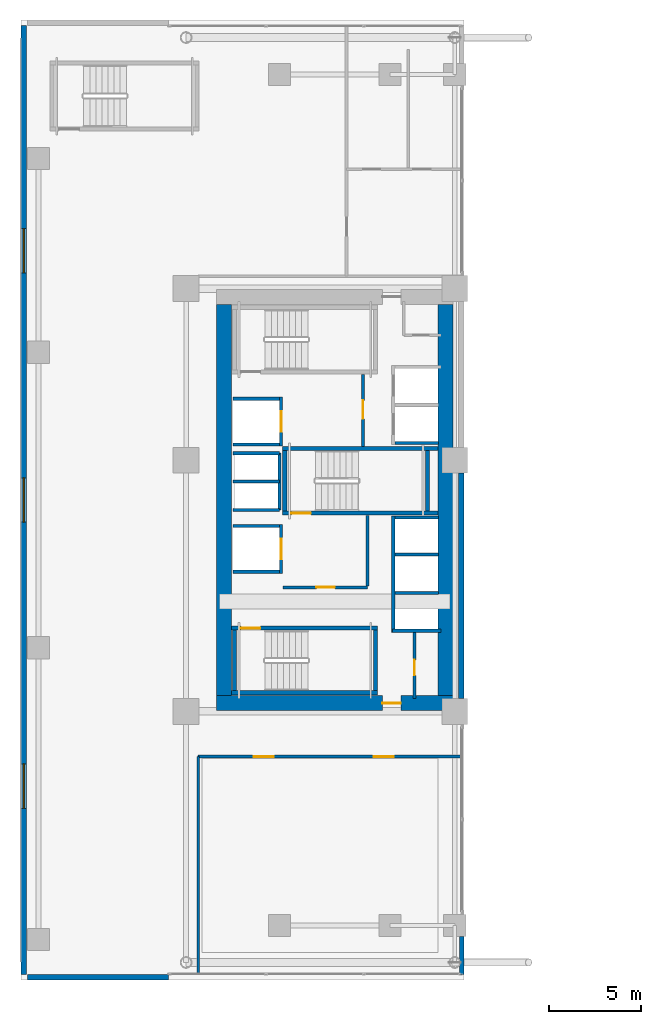
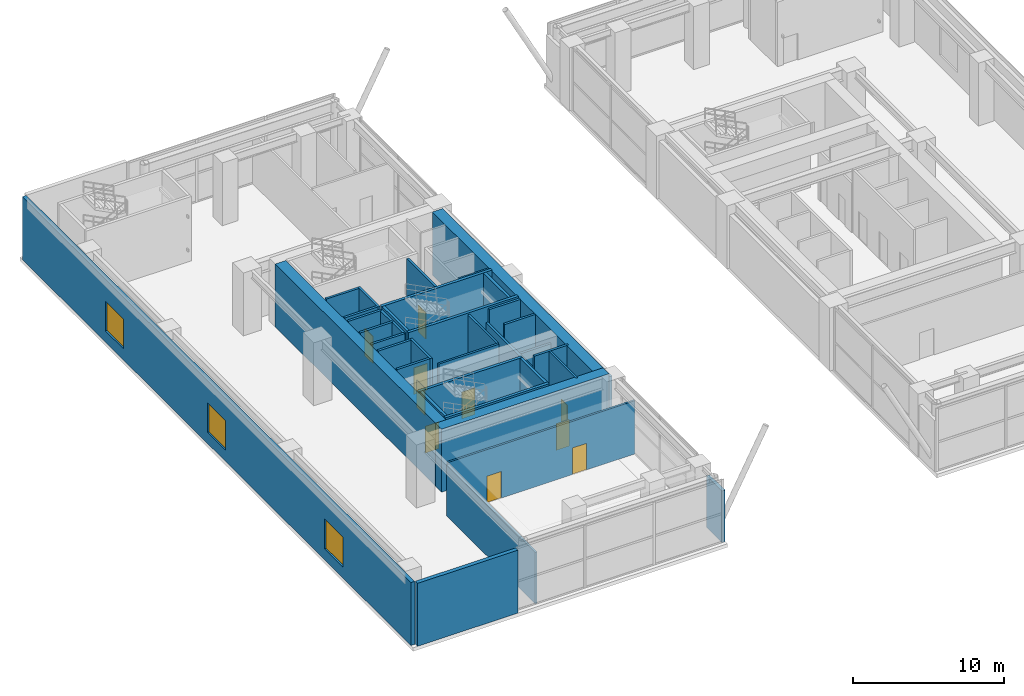
# One storey, part 20 of 29: 37 walls, 10 doors, 3 windows, 13 openings.
"""IFC4 building model written with IfcOpenShell, lengths in metres."""

from ifc_helpers import new_model, si_unit, direction, frame, frame_2d, origin, place, context, subcontext, project, spatial, rectangle, extrude, source, transform, mapped, material, layer, layer_set, type_object, element, fill, save


model = new_model("IFC4")

# Units and contexts
model_context = context("Model", 3, precision=1e-05, world=origin(), true_north=direction((0.0, 1.0)))
body_context = subcontext(model_context, "Body", "Model", "MODEL_VIEW")
ifc_project = project(units=[si_unit("LENGTHUNIT", "METRE"), si_unit("AREAUNIT", "SQUARE_METRE"), si_unit("VOLUMEUNIT", "CUBIC_METRE"), si_unit("PLANEANGLEUNIT", "RADIAN"), si_unit("MASSUNIT", "GRAM", prefix="KILO")], contexts=[model_context])

# Site, building, storey
site_placement = place(None, origin())
site = spatial("IfcSite", under=ifc_project, at=site_placement, CompositionType="ELEMENT")
building_placement = place(site_placement, origin())
building = spatial("IfcBuilding", under=site, at=building_placement, Name="Ocotamira Hotel", CompositionType="ELEMENT")
storey_placement = place(building_placement, frame((0.0, 0.0, 6.0)))
storey = spatial("IfcBuildingStorey", under=building, at=storey_placement, Name="L02", CompositionType="ELEMENT", Elevation=6.0)

# Wall, opening, door
ifc_material_1 = material(Name="Concrete C60/75", Category="concrete")
ifc_layer_1 = layer(ifc_material_1, 0.800048828125)
ifc_layer_set_1 = layer_set([ifc_layer_1], Name="Concrete C60/75")
wall_type_1 = type_object("IfcWallType", Name="WL-CORE-800", PredefinedType="SHEAR", material=ifc_layer_set_1)
wall_1_placement = place(storey_placement, frame((10.60009765625, 15.0, 0.0), z_axis=(0.0, 0.0, 1.0), x_axis=(1.0, 0.0, 0.0)))
wall_1 = element("IfcWall", 1, at=wall_1_placement, inside=storey, type_object=wall_type_1, Name="L02 Shear Core Wall WCORE-S", PredefinedType="SHEAR", context=body_context, shape_type="SweptSolid", body=[
    extrude(rectangle(XDim=12.7998046875, YDim=0.800048828125, at=frame_2d((6.39990234375, 0.0))), origin(), (0.0, 0.0, 1.0), 5.080078125),
])
opening_1_placement = place(wall_1_placement, frame((8.97998046875, 0.0, 0.0)))
opening_1 = element("IfcOpeningElement", 2, at=opening_1_placement, cuts=wall_1, Name="Opening D-FR2", PredefinedType="OPENING", context=body_context, shape_type="SweptSolid", body=[
    extrude(rectangle(XDim=1.0, YDim=2.14990234375, at=frame_2d((0.5, 1.074951171875))), frame((0.0, 0.41015625, 0.0), z_axis=(0.0, -1.0, 0.0), x_axis=(1.0, 0.0, 0.0)), (0.0, 0.0, 1.0), 0.820068359375),
])
ifc_material_2 = material(Name="Fire-rated acoustic timber-veneer door", Category="wood")
door_type_1 = type_object("IfcDoorType", Name="DR-FIRE-1000", OperationType="NOTDEFINED", PredefinedType="DOOR", material=ifc_material_2)
shared_shape_1 = source(origin(), body_context, "Body", "SweptSolid", [
    extrude(rectangle(XDim=1.0, YDim=2.14990234375, at=frame_2d((0.5, 1.074951171875))), frame((0.0, 0.02490234375, 0.0), z_axis=(0.0, -1.0, 0.0), x_axis=(1.0, 0.0, 0.0)), (0.0, 0.0, 1.0), 0.050048828125),
])
door_1_placement = place(opening_1_placement, origin())
door_1 = element("IfcDoor", 3, at=door_1_placement, inside=storey, type_object=door_type_1, Name="L02 Door ID-L02-WLOB-S-D [ID-L02-WLOB-S-D]", OperationType="SINGLE_SWING_LEFT", OverallHeight=2.14990234375, OverallWidth=1.0, PredefinedType="DOOR", context=body_context, shape_type="MappedRepresentation", body=[
    mapped(shared_shape_1, transform((0.0, 0.0, 0.0), scale=1.0)),
])
fill(opening_1, door_1)

# Walls
for number, where, z_axis, x_axis, name in (
    (4, (11.0, 15.39990234375, 0.0), (0.0, 0.0, 1.0), (0.0, 1.0, 0.0), "L02 Shear Core Wall WCORE-W"),
    (5, (23.0, 15.39990234375, 0.0), (0.0, 0.0, 1.0), (0.0, 1.0, 0.0), "L02 Shear Core Wall WCORE-E"),
):
    element("IfcWall", number, at=place(storey_placement, frame(where, z_axis=z_axis, x_axis=x_axis)), inside=storey, type_object=wall_type_1, Name=name, PredefinedType="SHEAR", context=body_context, shape_type="SweptSolid", body=[
        extrude(rectangle(XDim=21.2001953125, YDim=0.800048828125, at=frame_2d((10.60009765625, 0.0))), origin(), (0.0, 0.0, 1.0), 5.080078125),
    ])

# Wall, openings, windows
ifc_material_3 = material(Name="Travertine-clad precast concrete C45/55", Category="masonry")
ifc_layer_2 = layer(ifc_material_3, 0.300048828125)
ifc_layer_set_2 = layer_set([ifc_layer_2], Name="Travertine-clad precast concrete C45/55")
wall_type_2 = type_object("IfcWallType", Name="WL-EXT-POD-300", PredefinedType="SOLIDWALL", material=ifc_layer_set_2)
wall_2_placement = place(storey_placement, frame((0.14990234375, 0.300048828125, 0.0), z_axis=(0.0, 0.0, 1.0), x_axis=(0.0, 1.0, 0.0)))
wall_2 = element("IfcWall", 6, at=wall_2_placement, inside=storey, type_object=wall_type_2, Name="L02 West Podium Travertine Wall", PredefinedType="SOLIDWALL", context=body_context, shape_type="SweptSolid", body=[
    extrude(rectangle(XDim=51.39990234375, YDim=0.300048828125, at=frame_2d((25.699951171875, 0.0))), origin(), (0.0, 0.0, 1.0), 5.080078125),
])
opening_2_placement = place(wall_2_placement, frame((9.0, 0.0, 0.89990234375)))
opening_2 = element("IfcOpeningElement", 7, at=opening_2_placement, cuts=wall_2, Name="Opening WN-1", PredefinedType="OPENING", context=body_context, shape_type="SweptSolid", body=[
    extrude(rectangle(XDim=2.39990234375, YDim=2.39990234375, at=frame_2d((1.199951171875, 1.199951171875))), frame((0.0, 0.16015625, 0.0), z_axis=(0.0, -1.0, 0.0), x_axis=(1.0, 0.0, 0.0)), (0.0, 0.0, 1.0), 0.320068359375),
])
opening_3_placement = place(wall_2_placement, frame((24.5, 0.0, 0.89990234375)))
opening_3 = element("IfcOpeningElement", 8, at=opening_3_placement, cuts=wall_2, Name="Opening WN-1", PredefinedType="OPENING", context=body_context, shape_type="SweptSolid", body=[
    extrude(rectangle(XDim=2.39990234375, YDim=2.39990234375, at=frame_2d((1.199951171875, 1.199951171875))), frame((0.0, 0.16015625, 0.0), z_axis=(0.0, -1.0, 0.0), x_axis=(1.0, 0.0, 0.0)), (0.0, 0.0, 1.0), 0.320068359375),
])
opening_4_placement = place(wall_2_placement, frame((38.0, 0.0, 0.89990234375)))
opening_4 = element("IfcOpeningElement", 9, at=opening_4_placement, cuts=wall_2, Name="Opening WN-1", PredefinedType="OPENING", context=body_context, shape_type="SweptSolid", body=[
    extrude(rectangle(XDim=2.39990234375, YDim=2.39990234375, at=frame_2d((1.199951171875, 1.199951171875))), frame((0.0, 0.16015625, 0.0), z_axis=(0.0, -1.0, 0.0), x_axis=(1.0, 0.0, 0.0)), (0.0, 0.0, 1.0), 0.320068359375),
])
ifc_material_4 = material(Name="Double-silver low-E solar glass", Category="glass")
window_type = type_object("IfcWindowType", Name="WIN-POD-2400", PartitioningType="SINGLE_PANEL", PredefinedType="WINDOW", material=ifc_material_4)
shared_shape_2 = source(origin(), body_context, "Body", "SweptSolid", [
    extrude(rectangle(XDim=2.39990234375, YDim=2.39990234375, at=frame_2d((1.199951171875, 1.199951171875))), frame((0.0, 0.030029296875, 0.0), z_axis=(0.0, -1.0, 0.0), x_axis=(1.0, 0.0, 0.0)), (0.0, 0.0, 1.0), 0.06005859375),
])
window_1_placement = place(opening_2_placement, origin())
window_1 = element("IfcWindow", 10, at=window_1_placement, inside=storey, type_object=window_type, Name="L02 West Podium Window 1", OverallHeight=2.39990234375, OverallWidth=2.39990234375, PartitioningType="SINGLE_PANEL", PredefinedType="WINDOW", context=body_context, shape_type="MappedRepresentation", body=[
    mapped(shared_shape_2, transform((0.0, 0.0, 0.0), scale=1.0)),
])
fill(opening_2, window_1)
window_2_placement = place(opening_3_placement, origin())
window_2 = element("IfcWindow", 11, at=window_2_placement, inside=storey, type_object=window_type, Name="L02 West Podium Window 2", OverallHeight=2.39990234375, OverallWidth=2.39990234375, PartitioningType="SINGLE_PANEL", PredefinedType="WINDOW", context=body_context, shape_type="MappedRepresentation", body=[
    mapped(shared_shape_2, transform((0.0, 0.0, 0.0), scale=1.0)),
])
fill(opening_3, window_2)
window_3_placement = place(opening_4_placement, origin())
window_3 = element("IfcWindow", 12, at=window_3_placement, inside=storey, type_object=window_type, Name="L02 West Podium Window 3", OverallHeight=2.39990234375, OverallWidth=2.39990234375, PartitioningType="SINGLE_PANEL", PredefinedType="WINDOW", context=body_context, shape_type="MappedRepresentation", body=[
    mapped(shared_shape_2, transform((0.0, 0.0, 0.0), scale=1.0)),
])
fill(opening_4, window_3)

# Walls
wall_3_placement = place(storey_placement, frame((8.0, 0.14990234375, 0.0), z_axis=(0.0, 0.0, 1.0), x_axis=(-1.0, 0.0, 0.0)))
element("IfcWall", 13, at=wall_3_placement, inside=storey, type_object=wall_type_2, Name="L02 S-West Podium Wall", PredefinedType="SOLIDWALL", context=body_context, shape_type="SweptSolid", body=[
    extrude(rectangle(XDim=7.64990234375, YDim=0.300048828125, at=frame_2d((3.824951171875, 0.0))), origin(), (0.0, 0.0, 1.0), 5.080078125),
])
wall_4_placement = place(storey_placement, frame((23.8798828125, 0.300048828125, 0.0), z_axis=(0.0, 0.0, 1.0), x_axis=(0.0, 1.0, 0.0)))
element("IfcWall", 14, at=wall_4_placement, inside=storey, type_object=wall_type_2, Name="L02 Giant Arch South Corner Cheek Wall AW", PredefinedType="SOLIDWALL", context=body_context, shape_type="SweptSolid", body=[
    extrude(rectangle(XDim=2.050048828125, YDim=0.239990234375, at=frame_2d((1.02490234375, 0.0))), origin(), (0.0, 0.0, 1.0), 4.153076171875),
])
wall_5_placement = place(storey_placement, frame((23.85009765625, 15.25, 0.0), z_axis=(0.0, 0.0, 1.0), x_axis=(0.0, 1.0, 0.0)))
element("IfcWall", 15, at=wall_5_placement, inside=storey, type_object=wall_type_2, Name="L02 Giant Arch Core Cheek Wall AW-1", PredefinedType="SOLIDWALL", context=body_context, shape_type="SweptSolid", body=[
    extrude(rectangle(XDim=12.199951171875, YDim=0.300048828125, at=frame_2d((6.10009765625, 0.0))), origin(), (0.0, 0.0, 1.0), 4.301025390625),
])

# Wall, opening, door
ifc_material_5 = material(Name="Acoustic double-layer fire gypsum board partition", Category="gypsum")
ifc_layer_3 = layer(ifc_material_5, 0.159912109375)
ifc_layer_set_3 = layer_set([ifc_layer_3], Name="Acoustic double-layer fire gypsum board partition")
wall_type_3 = type_object("IfcWallType", Name="WL-FIRE-160", PredefinedType="PARTITIONING", material=ifc_layer_set_3)
wall_6_placement = place(storey_placement, frame((14.199951171875, 21.27001953125, 0.0), z_axis=(0.0, 0.0, 1.0), x_axis=(1.0, 0.0, 0.0)))
wall_6 = element("IfcWall", 16, at=wall_6_placement, inside=storey, type_object=wall_type_3, Name="L02 Interior Wall PW-L02-FSAE1-S", PredefinedType="PARTITIONING", context=body_context, shape_type="SweptSolid", body=[
    extrude(rectangle(XDim=4.580078125, YDim=0.159912109375, at=frame_2d((2.2900390625, 0.0))), origin(), (0.0, 0.0, 1.0), 5.080078125),
])
opening_5_placement = place(wall_6_placement, frame((1.800048828125, 0.0, 0.0)))
opening_5 = element("IfcOpeningElement", 17, at=opening_5_placement, cuts=wall_6, Name="Opening D-FR2", PredefinedType="OPENING", context=body_context, shape_type="SweptSolid", body=[
    extrude(rectangle(XDim=1.0, YDim=2.14990234375, at=frame_2d((0.5, 1.074951171875))), frame((0.0, 0.08984375, 0.0), z_axis=(0.0, -1.0, 0.0), x_axis=(1.0, 0.0, 0.0)), (0.0, 0.0, 1.0), 0.179931640625),
])
door_2_placement = place(opening_5_placement, origin())
door_2 = element("IfcDoor", 18, at=door_2_placement, inside=storey, type_object=door_type_1, Name="L02 Door ID-L02-FSAE1-D [ID-L02-FSAE1-D]", OperationType="SINGLE_SWING_LEFT", OverallHeight=2.14990234375, OverallWidth=1.0, PredefinedType="DOOR", context=body_context, shape_type="MappedRepresentation", body=[
    mapped(shared_shape_1, transform((0.0, 0.0, 0.0), scale=1.0)),
])
fill(opening_5, door_2)

# Wall
wall_7_placement = place(storey_placement, frame((18.780029296875, 21.35009765625, 0.0), z_axis=(0.0, 0.0, 1.0), x_axis=(0.0, 1.0, 0.0)))
element("IfcWall", 19, at=wall_7_placement, inside=storey, type_object=wall_type_3, Name="L02 Interior Wall PW-L02-FSAE1-E", PredefinedType="PARTITIONING", context=body_context, shape_type="SweptSolid", body=[
    extrude(rectangle(XDim=3.809814453125, YDim=0.159912109375, at=frame_2d((1.90478515625, 0.0))), origin(), (0.0, 0.0, 1.0), 5.080078125),
])

# Wall, opening, door
wall_8_placement = place(storey_placement, frame((18.530029296875, 28.89990234375, 0.0), z_axis=(0.0, 0.0, 1.0), x_axis=(0.0, 1.0, 0.0)))
wall_8 = element("IfcWall", 20, at=wall_8_placement, inside=storey, type_object=wall_type_3, Name="L02 Interior Wall PW-L02-FSAE2-E", PredefinedType="PARTITIONING", context=body_context, shape_type="SweptSolid", body=[
    extrude(rectangle(XDim=3.900146484375, YDim=0.159912109375, at=frame_2d((1.9501953125, 0.0))), origin(), (0.0, 0.0, 1.0), 5.080078125),
])
opening_6_placement = place(wall_8_placement, frame((1.5, 0.0, 0.0)))
opening_6 = element("IfcOpeningElement", 21, at=opening_6_placement, cuts=wall_8, Name="Opening D-FR2", PredefinedType="OPENING", context=body_context, shape_type="SweptSolid", body=[
    extrude(rectangle(XDim=1.0, YDim=2.14990234375, at=frame_2d((0.5, 1.074951171875))), frame((0.0, 0.08984375, 0.0), z_axis=(0.0, -1.0, 0.0), x_axis=(1.0, 0.0, 0.0)), (0.0, 0.0, 1.0), 0.179931640625),
])
door_3_placement = place(opening_6_placement, origin())
door_3 = element("IfcDoor", 22, at=door_3_placement, inside=storey, type_object=door_type_1, Name="L02 Door ID-L02-FSAE2-D [ID-L02-FSAE2-D]", OperationType="SINGLE_SWING_RIGHT", OverallHeight=2.14990234375, OverallWidth=1.0, PredefinedType="DOOR", context=body_context, shape_type="MappedRepresentation", body=[
    mapped(shared_shape_1, transform((0.0, 0.0, 0.0), scale=1.0)),
])
fill(opening_6, door_3)

ifc_material_6 = material(Name="Acoustic hospitality gypsum board partition", Category="gypsum")
ifc_layer_4 = layer(ifc_material_6, 0.14208984375)
ifc_layer_set_4 = layer_set([ifc_layer_4], Name="Acoustic hospitality gypsum board partition")
wall_type_4 = type_object("IfcWallType", Name="WL-PART-142", PredefinedType="PARTITIONING", material=ifc_layer_set_4)
wall_9_placement = place(storey_placement, frame((21.320068359375, 15.25, 0.0), z_axis=(0.0, 0.0, 1.0), x_axis=(0.0, 1.0, 0.0)))
wall_9 = element("IfcWall", 23, at=wall_9_placement, inside=storey, type_object=wall_type_4, Name="L02 Interior Wall PW-L02-WC-SE-W", PredefinedType="PARTITIONING", context=body_context, shape_type="SweptSolid", body=[
    extrude(rectangle(XDim=3.590087890625, YDim=0.14208984375, at=frame_2d((1.794921875, 0.0))), origin(), (0.0, 0.0, 1.0), 5.080078125),
])
opening_7_placement = place(wall_9_placement, frame((1.25, 0.0, 0.0)))
opening_7 = element("IfcOpeningElement", 24, at=opening_7_placement, cuts=wall_9, Name="Opening D-SV1", PredefinedType="OPENING", context=body_context, shape_type="SweptSolid", body=[
    extrude(rectangle(XDim=0.840087890625, YDim=2.10009765625, at=frame_2d((0.419921875, 1.050048828125))), frame((0.0, 0.0810546875, 0.0), z_axis=(0.0, -1.0, 0.0), x_axis=(1.0, 0.0, 0.0)), (0.0, 0.0, 1.0), 0.162109375),
])
ifc_material_7 = material(Name="Fire-rated painted steel service door", Category="steel")
door_type_2 = type_object("IfcDoorType", Name="DR-SERV-840", OperationType="NOTDEFINED", PredefinedType="DOOR", material=ifc_material_7)
shared_shape_3 = source(origin(), body_context, "Body", "SweptSolid", [
    extrude(rectangle(XDim=0.840087890625, YDim=2.10009765625, at=frame_2d((0.419921875, 1.050048828125))), frame((0.0, 0.02490234375, 0.0), z_axis=(0.0, -1.0, 0.0), x_axis=(1.0, 0.0, 0.0)), (0.0, 0.0, 1.0), 0.050048828125),
])
door_4_placement = place(opening_7_placement, origin())
door_4 = element("IfcDoor", 25, at=door_4_placement, inside=storey, type_object=door_type_2, Name="L02 Door ID-L02-WC-SE-D [ID-L02-WC-SE-D]", OperationType="SINGLE_SWING_RIGHT", OverallHeight=2.10009765625, OverallWidth=0.840087890625, PredefinedType="DOOR", context=body_context, shape_type="MappedRepresentation", body=[
    mapped(shared_shape_3, transform((0.0, 0.0, 0.0), scale=1.0)),
])
fill(opening_7, door_4)

# Wall
ifc_layer_5 = layer(ifc_material_6, 0.14990234375)
ifc_layer_set_5 = layer_set([ifc_layer_5], Name="Acoustic hospitality gypsum board partition")
wall_type_5 = type_object("IfcWallType", Name="WL-PART-150", PredefinedType="PARTITIONING", material=ifc_layer_set_5)
wall_10_placement = place(storey_placement, frame((9.60009765625, 0.35009765625, 0.0), z_axis=(0.0, 0.0, 1.0), x_axis=(0.0, 1.0, 0.0)))
element("IfcWall", 26, at=wall_10_placement, inside=storey, type_object=wall_type_5, Name="L02 Interior Wall PW-L02-L02-R1-W", PredefinedType="PARTITIONING", context=body_context, shape_type="SweptSolid", body=[
    extrude(rectangle(XDim=11.75, YDim=0.14990234375, at=frame_2d((5.875, 0.0))), origin(), (0.0, 0.0, 1.0), 4.153076171875),
])

# Wall, openings, doors
wall_11_placement = place(storey_placement, frame((9.60009765625, 12.10009765625, 0.0), z_axis=(0.0, 0.0, 1.0), x_axis=(1.0, 0.0, 0.0)))
wall_11 = element("IfcWall", 27, at=wall_11_placement, inside=storey, type_object=wall_type_5, Name="L02 Interior Wall PW-L02-L02-R1-N", PredefinedType="PARTITIONING", context=body_context, shape_type="SweptSolid", body=[
    extrude(rectangle(XDim=14.27978515625, YDim=0.14990234375, at=frame_2d((7.139892578125, 0.0))), origin(), (0.0, 0.0, 1.0), 4.301025390625),
])
opening_8_placement = place(wall_11_placement, frame((3.0, 0.0, 0.0)))
opening_8 = element("IfcOpeningElement", 28, at=opening_8_placement, cuts=wall_11, Name="Opening D-FR1", PredefinedType="OPENING", context=body_context, shape_type="SweptSolid", body=[
    extrude(rectangle(XDim=1.10009765625, YDim=2.14990234375, at=frame_2d((0.550048828125, 1.074951171875))), frame((0.0, 0.0849609375, 0.0), z_axis=(0.0, -1.0, 0.0), x_axis=(1.0, 0.0, 0.0)), (0.0, 0.0, 1.0), 0.169921875),
])
opening_9_placement = place(wall_11_placement, frame((9.5, 0.0, 0.0)))
opening_9 = element("IfcOpeningElement", 29, at=opening_9_placement, cuts=wall_11, Name="Opening D-FR1", PredefinedType="OPENING", context=body_context, shape_type="SweptSolid", body=[
    extrude(rectangle(XDim=1.10009765625, YDim=2.14990234375, at=frame_2d((0.550048828125, 1.074951171875))), frame((0.0, 0.0849609375, 0.0), z_axis=(0.0, -1.0, 0.0), x_axis=(1.0, 0.0, 0.0)), (0.0, 0.0, 1.0), 0.169921875),
])
door_type_3 = type_object("IfcDoorType", Name="DR-FIRE-1100", OperationType="NOTDEFINED", PredefinedType="DOOR", material=ifc_material_2)
shared_shape_4 = source(origin(), body_context, "Body", "SweptSolid", [
    extrude(rectangle(XDim=1.10009765625, YDim=2.14990234375, at=frame_2d((0.550048828125, 1.074951171875))), frame((0.0, 0.02490234375, 0.0), z_axis=(0.0, -1.0, 0.0), x_axis=(1.0, 0.0, 0.0)), (0.0, 0.0, 1.0), 0.050048828125),
])
door_5_placement = place(opening_8_placement, origin())
door_5 = element("IfcDoor", 30, at=door_5_placement, inside=storey, type_object=door_type_3, Name="L02 Door ID-L02-L02-R1-D1 [ID-L02-L02-R1-D1]", OperationType="SINGLE_SWING_LEFT", OverallHeight=2.14990234375, OverallWidth=1.10009765625, PredefinedType="DOOR", context=body_context, shape_type="MappedRepresentation", body=[
    mapped(shared_shape_4, transform((0.0, 0.0, 0.0), scale=1.0)),
])
fill(opening_8, door_5)
door_6_placement = place(opening_9_placement, origin())
door_6 = element("IfcDoor", 31, at=door_6_placement, inside=storey, type_object=door_type_3, Name="L02 Door ID-L02-L02-R1-D2 [ID-L02-L02-R1-D2]", OperationType="SINGLE_SWING_RIGHT", OverallHeight=2.14990234375, OverallWidth=1.10009765625, PredefinedType="DOOR", context=body_context, shape_type="MappedRepresentation", body=[
    mapped(shared_shape_4, transform((0.0, 0.0, 0.0), scale=1.0)),
])
fill(opening_9, door_6)

# Walls
ifc_material_8 = material(Name="Fire-rated gypsum shaftliner board assembly", Category="gypsum")
ifc_layer_6 = layer(ifc_material_8, 0.179931640625)
ifc_layer_set_6 = layer_set([ifc_layer_6], Name="Fire-rated gypsum shaftliner board assembly")
wall_type_6 = type_object("IfcWallType", Name="WL-SHAFT-180", PredefinedType="SOLIDWALL", material=ifc_layer_set_6)
wall_12_placement = place(storey_placement, frame((20.159912109375, 18.820068359375, 0.0), z_axis=(0.0, 0.0, 1.0), x_axis=(0.0, 1.0, 0.0)))
element("IfcWall", 32, at=wall_12_placement, inside=storey, type_object=wall_type_6, Name="L02 Interior Wall PW-L02-LFW-BANK-high-F", PredefinedType="SOLIDWALL", context=body_context, shape_type="SweptSolid", body=[
    extrude(rectangle(XDim=6.31982421875, YDim=0.179931640625, at=frame_2d((3.159912109375, 0.0))), origin(), (0.0, 0.0, 1.0), 3.97998046875),
])
wall_13_placement = place(storey_placement, frame((20.1201171875, 18.909912109375, 0.0), z_axis=(0.0, 0.0, 1.0), x_axis=(1.0, 0.0, 0.0)))
element("IfcWall", 33, at=wall_13_placement, inside=storey, type_object=wall_type_6, Name="L02 Interior Wall PW-L02-LFW-BANK-high-S", PredefinedType="SOLIDWALL", context=body_context, shape_type="SweptSolid", body=[
    extrude(rectangle(XDim=2.6298828125, YDim=0.179931640625, at=frame_2d((1.31494140625, 0.0))), origin(), (0.0, 0.0, 1.0), 5.080078125),
])
wall_14_placement = place(storey_placement, frame((20.25, 25.050048828125, 0.0), z_axis=(0.0, 0.0, 1.0), x_axis=(1.0, 0.0, 0.0)))
element("IfcWall", 34, at=wall_14_placement, inside=storey, type_object=wall_type_6, Name="L02 Interior Wall PW-L02-LFW-BANK-high-N", PredefinedType="SOLIDWALL", context=body_context, shape_type="SweptSolid", body=[
    extrude(rectangle(XDim=2.360107421875, YDim=0.179931640625, at=frame_2d((1.18017578125, 0.0))), origin(), (0.0, 0.0, 1.0), 5.080078125),
])
wall_15_placement = place(storey_placement, frame((20.25, 20.965087890625, 0.0), z_axis=(0.0, 0.0, 1.0), x_axis=(1.0, 0.0, 0.0)))
element("IfcWall", 35, at=wall_15_placement, inside=storey, type_object=wall_type_6, Name="L02 Interior Wall PW-L02-LFW-DIV-LF-P7", PredefinedType="SOLIDWALL", context=body_context, shape_type="SweptSolid", body=[
    extrude(rectangle(XDim=2.360107421875, YDim=0.179931640625, at=frame_2d((1.18017578125, 0.0))), origin(), (0.0, 0.0, 1.0), 3.97998046875),
])
for number, where, z_axis, x_axis, name in (
    (36, (20.25, 23.044921875, 0.0), (0.0, 0.0, 1.0), (1.0, 0.0, 0.0), "L02 Interior Wall PW-L02-LFW-DIV-LF-P8"),
    (37, (20.25, 29.090087890625, 0.0), (0.0, 0.0, 1.0), (1.0, 0.0, 0.0), "L02 Interior Wall PW-L02-LFW-BANK-obs-S"),
):
    element("IfcWall", number, at=place(storey_placement, frame(where, z_axis=z_axis, x_axis=x_axis)), inside=storey, type_object=wall_type_6, Name=name, PredefinedType="SOLIDWALL", context=body_context, shape_type="SweptSolid", body=[
        extrude(rectangle(XDim=2.360107421875, YDim=0.179931640625, at=frame_2d((1.18017578125, 0.0))), origin(), (0.0, 0.0, 1.0), 5.080078125),
    ])
for number, where, z_axis, x_axis, name in (
    (38, (11.5, 22.110107421875, 0.0), (0.0, 0.0, 1.0), (1.0, 0.0, 0.0), "L02 Interior Wall PW-L02-LFW-LF-FSAE1-S"),
    (39, (11.5, 24.590087890625, 0.0), (0.0, 0.0, 1.0), (1.0, 0.0, 0.0), "L02 Interior Wall PW-L02-LFW-LF-FSAE1-N"),
):
    element("IfcWall", number, at=place(storey_placement, frame(where, z_axis=z_axis, x_axis=x_axis)), inside=storey, type_object=wall_type_6, Name=name, PredefinedType="SOLIDWALL", context=body_context, shape_type="SweptSolid", body=[
        extrude(rectangle(XDim=2.5, YDim=0.179931640625, at=frame_2d((1.25, 0.0))), origin(), (0.0, 0.0, 1.0), 5.080078125),
    ])

# Wall, opening, door
wall_16_placement = place(storey_placement, frame((14.090087890625, 22.02001953125, 0.0), z_axis=(0.0, 0.0, 1.0), x_axis=(0.0, 1.0, 0.0)))
wall_16 = element("IfcWall", 40, at=wall_16_placement, inside=storey, type_object=wall_type_6, Name="L02 Interior Wall PW-L02-LFW-LF-FSAE1-E", PredefinedType="SOLIDWALL", context=body_context, shape_type="SweptSolid", body=[
    extrude(rectangle(XDim=2.659912109375, YDim=0.179931640625, at=frame_2d((1.330078125, 0.0))), origin(), (0.0, 0.0, 1.0), 5.080078125),
])
opening_10_placement = place(wall_16_placement, frame((0.780029296875, 0.0, 0.0)))
opening_10 = element("IfcOpeningElement", 41, at=opening_10_placement, cuts=wall_16, Name="Opening LD-LF-FSAE1", PredefinedType="OPENING", context=body_context, shape_type="SweptSolid", body=[
    extrude(rectangle(XDim=1.10009765625, YDim=2.199951171875, at=frame_2d((0.550048828125, 1.10009765625))), frame((0.0, 0.10009765625, 0.0), z_axis=(0.0, -1.0, 0.0), x_axis=(1.0, 0.0, 0.0)), (0.0, 0.0, 1.0), 0.199951171875),
])
ifc_material_9 = material(Name="Brushed pale-metal stainless elevator landing door", Category="steel")
door_type_4 = type_object("IfcDoorType", Name="DR-LIFT-1100", OperationType="NOTDEFINED", PredefinedType="DOOR", material=ifc_material_9)
shared_shape_5 = source(origin(), body_context, "Body", "SweptSolid", [
    extrude(rectangle(XDim=1.10009765625, YDim=2.199951171875, at=frame_2d((0.550048828125, 1.10009765625))), frame((0.0, 0.02490234375, 0.0), z_axis=(0.0, -1.0, 0.0), x_axis=(1.0, 0.0, 0.0)), (0.0, 0.0, 1.0), 0.050048828125),
])
door_7_placement = place(opening_10_placement, origin())
door_7 = element("IfcDoor", 42, at=door_7_placement, inside=storey, type_object=door_type_4, Name="L02 Landing Door LD-LF-FSAE1 [ID-L02-LD-LF-FSAE1]", OperationType="DOUBLE_DOOR_SLIDING", OverallHeight=2.199951171875, OverallWidth=1.10009765625, PredefinedType="DOOR", context=body_context, shape_type="MappedRepresentation", body=[
    mapped(shared_shape_5, transform((0.0, 0.0, 0.0), scale=1.0)),
])
fill(opening_10, door_7)

# Walls
for number, where, z_axis, x_axis, name in (
    (43, (11.5, 29.010009765625, 0.0), (0.0, 0.0, 1.0), (1.0, 0.0, 0.0), "L02 Interior Wall PW-L02-LFW-LF-FSAE2-S"),
    (44, (11.5, 31.489990234375, 0.0), (0.0, 0.0, 1.0), (1.0, 0.0, 0.0), "L02 Interior Wall PW-L02-LFW-LF-FSAE2-N"),
):
    element("IfcWall", number, at=place(storey_placement, frame(where, z_axis=z_axis, x_axis=x_axis)), inside=storey, type_object=wall_type_6, Name=name, PredefinedType="SOLIDWALL", context=body_context, shape_type="SweptSolid", body=[
        extrude(rectangle(XDim=2.5, YDim=0.179931640625, at=frame_2d((1.25, 0.0))), origin(), (0.0, 0.0, 1.0), 5.080078125),
    ])

# Wall, opening, door
wall_17_placement = place(storey_placement, frame((14.090087890625, 28.919921875, 0.0), z_axis=(0.0, 0.0, 1.0), x_axis=(0.0, 1.0, 0.0)))
wall_17 = element("IfcWall", 45, at=wall_17_placement, inside=storey, type_object=wall_type_6, Name="L02 Interior Wall PW-L02-LFW-LF-FSAE2-E", PredefinedType="SOLIDWALL", context=body_context, shape_type="SweptSolid", body=[
    extrude(rectangle(XDim=2.66015625, YDim=0.179931640625, at=frame_2d((1.330078125, 0.0))), origin(), (0.0, 0.0, 1.0), 5.080078125),
])
opening_11_placement = place(wall_17_placement, frame((0.780029296875, 0.0, 0.0)))
opening_11 = element("IfcOpeningElement", 46, at=opening_11_placement, cuts=wall_17, Name="Opening LD-LF-FSAE2", PredefinedType="OPENING", context=body_context, shape_type="SweptSolid", body=[
    extrude(rectangle(XDim=1.10009765625, YDim=2.199951171875, at=frame_2d((0.550048828125, 1.10009765625))), frame((0.0, 0.10009765625, 0.0), z_axis=(0.0, -1.0, 0.0), x_axis=(1.0, 0.0, 0.0)), (0.0, 0.0, 1.0), 0.199951171875),
])
door_8_placement = place(opening_11_placement, origin())
door_8 = element("IfcDoor", 47, at=door_8_placement, inside=storey, type_object=door_type_4, Name="L02 Landing Door LD-LF-FSAE2 [ID-L02-LD-LF-FSAE2]", OperationType="DOUBLE_DOOR_SLIDING", OverallHeight=2.199951171875, OverallWidth=1.10009765625, PredefinedType="DOOR", context=body_context, shape_type="MappedRepresentation", body=[
    mapped(shared_shape_5, transform((0.0, 0.0, 0.0), scale=1.0)),
])
fill(opening_11, door_8)

# Walls
for number, where, z_axis, x_axis, name in (
    (48, (11.5, 25.4599609375, 0.0), (0.0, 0.0, 1.0), (1.0, 0.0, 0.0), "L02 Interior Wall PW-L02-RSW-S"),
    (49, (11.5, 27.0, 0.0), (0.0, 0.0, 1.0), (1.0, 0.0, 0.0), "L02 Interior Wall PW-L02-RSW-MID"),
    (50, (11.5, 28.5400390625, 0.0), (0.0, 0.0, 1.0), (1.0, 0.0, 0.0), "L02 Interior Wall PW-L02-RSW-N"),
):
    element("IfcWall", number, at=place(storey_placement, frame(where, z_axis=z_axis, x_axis=x_axis)), inside=storey, type_object=wall_type_6, Name=name, PredefinedType="SOLIDWALL", context=body_context, shape_type="SweptSolid", body=[
        extrude(rectangle(XDim=2.510009765625, YDim=0.179931640625, at=frame_2d((1.2548828125, 0.0))), origin(), (0.0, 0.0, 1.0), 5.080078125),
    ])
wall_18_placement = place(storey_placement, frame((14.010009765625, 25.4599609375, 0.0), z_axis=(0.0, 0.0, 1.0), x_axis=(0.0, 1.0, 0.0)))
element("IfcWall", 51, at=wall_18_placement, inside=storey, type_object=wall_type_6, Name="L02 Interior Wall PW-L02-RSW-E", PredefinedType="SOLIDWALL", context=body_context, shape_type="SweptSolid", body=[
    extrude(rectangle(XDim=3.080078125, YDim=0.179931640625, at=frame_2d((1.5400390625, 0.0))), origin(), (0.0, 0.0, 1.0), 5.080078125),
])
ifc_material_10 = material(Name="Concrete C50/60", Category="concrete")
ifc_layer_7 = layer(ifc_material_10, 0.219970703125)
ifc_layer_set_7 = layer_set([ifc_layer_7], Name="Concrete C50/60")
wall_type_7 = type_object("IfcWallType", Name="WL-STAIR-220", PredefinedType="SHEAR", material=ifc_layer_set_7)
wall_19_placement = place(storey_placement, frame((11.39990234375, 15.56005859375, 0.0), z_axis=(0.0, 0.0, 1.0), x_axis=(1.0, 0.0, 0.0)))
element("IfcWall", 52, at=wall_19_placement, inside=storey, type_object=wall_type_7, Name="L02 Stair Shaft Structural Wall ST-1-S", PredefinedType="SHEAR", context=body_context, shape_type="SweptSolid", body=[
    extrude(rectangle(XDim=7.91015625, YDim=0.219970703125, at=frame_2d((3.955078125, 0.0))), origin(), (0.0, 0.0, 1.0), 5.199951171875),
])

# Wall, opening, door
wall_20_placement = place(storey_placement, frame((11.39990234375, 19.06005859375, 0.0), z_axis=(0.0, 0.0, 1.0), x_axis=(1.0, 0.0, 0.0)))
wall_20 = element("IfcWall", 53, at=wall_20_placement, inside=storey, type_object=wall_type_7, Name="L02 Stair Shaft Structural Wall ST-1-N", PredefinedType="SHEAR", context=body_context, shape_type="SweptSolid", body=[
    extrude(rectangle(XDim=7.91015625, YDim=0.219970703125, at=frame_2d((3.955078125, 0.0))), origin(), (0.0, 0.0, 1.0), 5.199951171875),
])
opening_12_placement = place(wall_20_placement, frame((0.52001953125, 0.0, 0.0)))
opening_12 = element("IfcOpeningElement", 54, at=opening_12_placement, cuts=wall_20, Name="Opening D-ST2", PredefinedType="OPENING", context=body_context, shape_type="SweptSolid", body=[
    extrude(rectangle(XDim=1.050048828125, YDim=2.14990234375, at=frame_2d((0.52490234375, 1.074951171875))), frame((0.0, 0.1201171875, 0.0), z_axis=(0.0, -1.0, 0.0), x_axis=(1.0, 0.0, 0.0)), (0.0, 0.0, 1.0), 0.239990234375),
])
ifc_material_11 = material(Name="Insulated painted hollow-metal fire exit door", Category="steel")
door_type_5 = type_object("IfcDoorType", Name="DR-STAIR-1050", OperationType="NOTDEFINED", PredefinedType="DOOR", material=ifc_material_11)
shared_shape_6 = source(origin(), body_context, "Body", "SweptSolid", [
    extrude(rectangle(XDim=1.050048828125, YDim=2.14990234375, at=frame_2d((0.52490234375, 1.074951171875))), frame((0.0, 0.02490234375, 0.0), z_axis=(0.0, -1.0, 0.0), x_axis=(1.0, 0.0, 0.0)), (0.0, 0.0, 1.0), 0.050048828125),
])
door_9_placement = place(opening_12_placement, origin())
door_9 = element("IfcDoor", 55, at=door_9_placement, inside=storey, type_object=door_type_5, Name="L02 Door ID-L02-STD-ST-1 [ID-L02-STD-ST-1]", OperationType="SINGLE_SWING_LEFT", OverallHeight=2.14990234375, OverallWidth=1.050048828125, PredefinedType="DOOR", context=body_context, shape_type="MappedRepresentation", body=[
    mapped(shared_shape_6, transform((0.0, 0.0, 0.0), scale=1.0)),
])
fill(opening_12, door_9)

# Walls
for number, where, z_axis, x_axis, name in (
    (56, (11.56005859375, 15.669921875, 0.0), (0.0, 0.0, 1.0), (0.0, 1.0, 0.0), "L02 Stair Shaft Structural Wall ST-1-W"),
    (57, (19.199951171875, 15.669921875, 0.0), (0.0, 0.0, 1.0), (0.0, 1.0, 0.0), "L02 Stair Shaft Structural Wall ST-1-E"),
):
    element("IfcWall", number, at=place(storey_placement, frame(where, z_axis=z_axis, x_axis=x_axis)), inside=storey, type_object=wall_type_7, Name=name, PredefinedType="SHEAR", context=body_context, shape_type="SweptSolid", body=[
        extrude(rectangle(XDim=3.280029296875, YDim=0.219970703125, at=frame_2d((1.64013671875, 0.0))), origin(), (0.0, 0.0, 1.0), 5.199951171875),
    ])

# Wall, opening, door
wall_21_placement = place(storey_placement, frame((14.179931640625, 25.2900390625, 0.0), z_axis=(0.0, 0.0, 1.0), x_axis=(1.0, 0.0, 0.0)))
wall_21 = element("IfcWall", 58, at=wall_21_placement, inside=storey, type_object=wall_type_7, Name="L02 Stair Shaft Structural Wall ST-3-S", PredefinedType="SHEAR", context=body_context, shape_type="SweptSolid", body=[
    extrude(rectangle(XDim=8.420166015625, YDim=0.219970703125, at=frame_2d((4.2099609375, 0.0))), origin(), (0.0, 0.0, 1.0), 5.199951171875),
])
opening_13_placement = place(wall_21_placement, frame((0.469970703125, 0.0, 0.0)))
opening_13 = element("IfcOpeningElement", 59, at=opening_13_placement, cuts=wall_21, Name="Opening D-ST2", PredefinedType="OPENING", context=body_context, shape_type="SweptSolid", body=[
    extrude(rectangle(XDim=1.050048828125, YDim=2.14990234375, at=frame_2d((0.52490234375, 1.074951171875))), frame((0.0, 0.1201171875, 0.0), z_axis=(0.0, -1.0, 0.0), x_axis=(1.0, 0.0, 0.0)), (0.0, 0.0, 1.0), 0.239990234375),
])
door_10_placement = place(opening_13_placement, origin())
door_10 = element("IfcDoor", 60, at=door_10_placement, inside=storey, type_object=door_type_5, Name="L02 Door ID-L02-STD-ST-3 [ID-L02-STD-ST-3]", OperationType="SINGLE_SWING_LEFT", OverallHeight=2.14990234375, OverallWidth=1.050048828125, PredefinedType="DOOR", context=body_context, shape_type="MappedRepresentation", body=[
    mapped(shared_shape_6, transform((0.0, 0.0, 0.0), scale=1.0)),
])
fill(opening_13, door_10)

# Walls
wall_22_placement = place(storey_placement, frame((14.179931640625, 28.7900390625, 0.0), z_axis=(0.0, 0.0, 1.0), x_axis=(1.0, 0.0, 0.0)))
element("IfcWall", 61, at=wall_22_placement, inside=storey, type_object=wall_type_7, Name="L02 Stair Shaft Structural Wall ST-3-N", PredefinedType="SHEAR", context=body_context, shape_type="SweptSolid", body=[
    extrude(rectangle(XDim=8.420166015625, YDim=0.219970703125, at=frame_2d((4.2099609375, 0.0))), origin(), (0.0, 0.0, 1.0), 5.199951171875),
])
for number, where, z_axis, x_axis, name in (
    (62, (14.2900390625, 25.39990234375, 0.0), (0.0, 0.0, 1.0), (0.0, 1.0, 0.0), "L02 Stair Shaft Structural Wall ST-3-W"),
    (63, (22.030029296875, 25.39990234375, 0.0), (0.0, 0.0, 1.0), (0.0, 1.0, 0.0), "L02 Stair Shaft Structural Wall ST-3-E"),
):
    element("IfcWall", number, at=place(storey_placement, frame(where, z_axis=z_axis, x_axis=x_axis)), inside=storey, type_object=wall_type_7, Name=name, PredefinedType="SHEAR", context=body_context, shape_type="SweptSolid", body=[
        extrude(rectangle(XDim=3.280029296875, YDim=0.219970703125, at=frame_2d((1.64013671875, 0.0))), origin(), (0.0, 0.0, 1.0), 5.199951171875),
    ])

save(model, "model.ifc")
